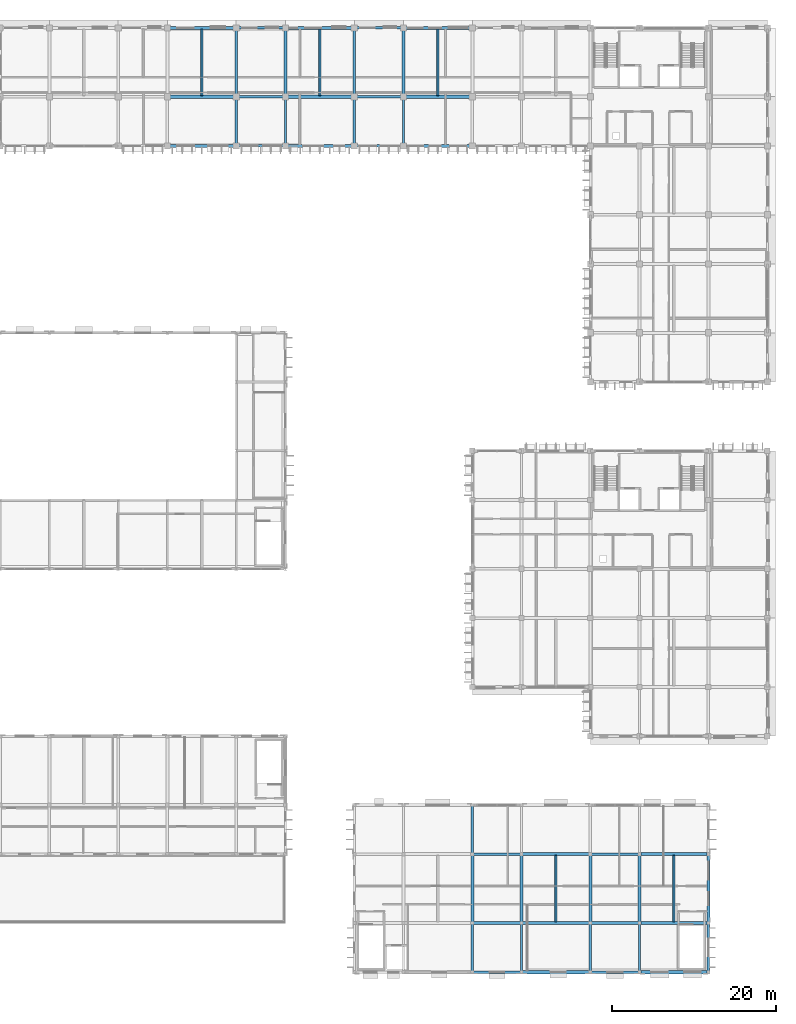
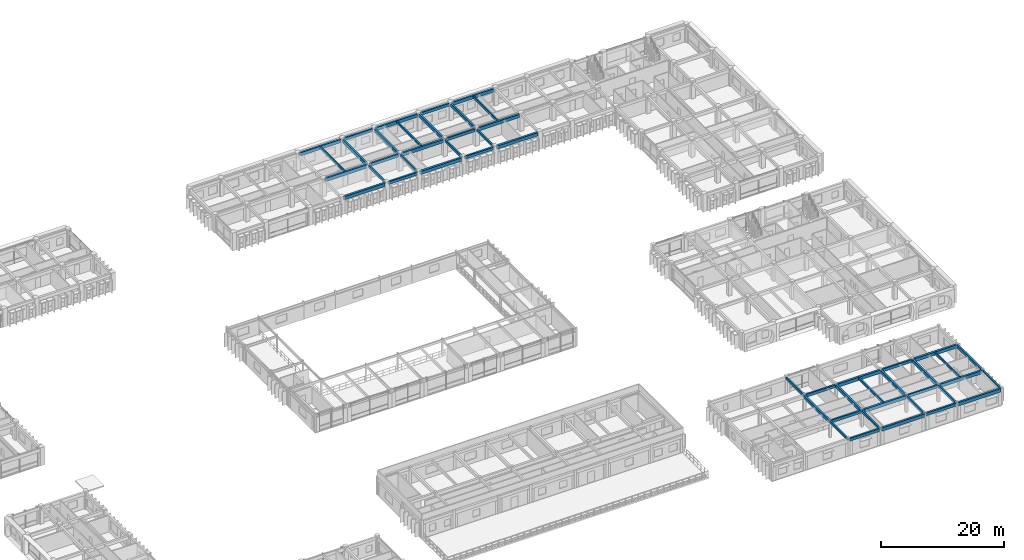
# One storey, part 30 of 88: 51 beams.
"""IFC4 building model written with IfcOpenShell, lengths in metres."""

from ifc_helpers import new_model, si_unit, direction, frame, origin, origin_2d, place, context, subcontext, project, spatial, rectangle, extrude, material, material_profile, profile_set, type_object, element, save


model = new_model("IFC4")

# Units and contexts
model_context = context("Model", 3, precision=1e-05, world=origin(), true_north=direction((0.0, 1.0)))
body_context = subcontext(model_context, "Body", "Model", "MODEL_VIEW")
ifc_project = project(units=[si_unit("LENGTHUNIT", "METRE"), si_unit("AREAUNIT", "SQUARE_METRE"), si_unit("VOLUMEUNIT", "CUBIC_METRE"), si_unit("PLANEANGLEUNIT", "RADIAN"), si_unit("MASSUNIT", "GRAM", prefix="KILO"), si_unit("THERMODYNAMICTEMPERATUREUNIT", "KELVIN")], contexts=[model_context])

# Site, building, storey
site_placement = place(None, origin())
site = spatial("IfcSite", under=ifc_project, at=site_placement, CompositionType="ELEMENT")
building_placement = place(site_placement, origin())
building = spatial("IfcBuilding", under=site, at=building_placement, Name="Thalorik Housing Commons", CompositionType="ELEMENT")
storey_placement = place(building_placement, frame((0.0, 0.0, 4.5)))
storey = spatial("IfcBuildingStorey", under=building, at=storey_placement, Name="L01", CompositionType="ELEMENT", Elevation=4.5)

# Beams
ifc_material = material(Name="Precast concrete C40/50", Category="concrete")
ifc_material_profile_1 = material_profile(ifc_material, rectangle(XDim=0.280029296875, YDim=0.449951171875, at=origin_2d()), Name="PC 280x450", Category="concrete")
ifc_profile_set_1 = profile_set([ifc_material_profile_1], Name="Precast concrete C40/50")
beam_type_1 = type_object("IfcBeamType", Name="STR-BM-PC280x450", PredefinedType="BEAM", material=ifc_profile_set_1)
for number, where, z_axis, x_axis, name in (
    (1, (109.199951171875, 109.52490234375, 3.114990234375), (0.0, 1.0, 0.0), (-1.0, 0.0, 0.0), "L01 Beam B-450"),
    (2, (115.199951171875, 109.52490234375, 3.114990234375), (0.0, 1.0, 0.0), (-1.0, 0.0, 0.0), "L01 Beam B-450"),
    (3, (123.60009765625, 109.52490234375, 3.114990234375), (0.0, 1.0, 0.0), (-1.0, 0.0, 0.0), "L01 Beam B-450"),
    (4, (129.60009765625, 109.52490234375, 3.114990234375), (0.0, 1.0, 0.0), (-1.0, 0.0, 0.0), "L01 Beam B-450"),
):
    element("IfcBeam", number, at=place(storey_placement, frame(where, z_axis=z_axis, x_axis=x_axis)), inside=storey, type_object=beam_type_1, Name=name, PredefinedType="BEAM", context=body_context, shape_type="SweptSolid", body=[
        extrude(rectangle(XDim=0.280029296875, YDim=0.449951171875, at=origin_2d()), origin(), (0.0, 0.0, 1.0), 5.35009765625),
    ])
for number, where, z_axis, x_axis, name in (
    (5, (138.0, 8.550048828125, 3.114990234375), (0.0, 1.0, 0.0), (-1.0, 0.0, 0.0), "L01 Beam B-450"),
    (6, (138.0, 22.949951171875, 3.114990234375), (0.0, 1.0, 0.0), (-1.0, 0.0, 0.0), "L01 Beam B-450"),
    (7, (144.0, 8.550048828125, 3.114990234375), (0.0, 1.0, 0.0), (-1.0, 0.0, 0.0), "L01 Beam B-450"),
    (8, (152.39990234375, 8.550048828125, 3.114990234375), (0.0, 1.0, 0.0), (-1.0, 0.0, 0.0), "L01 Beam B-450"),
    (9, (158.39990234375, 8.550048828125, 3.114990234375), (0.0, 1.0, 0.0), (-1.0, 0.0, 0.0), "L01 Beam B-450"),
    (10, (166.800048828125, 8.550048828125, 3.114990234375), (0.0, 1.0, 0.0), (-1.0, 0.0, 0.0), "L01 Beam B-450"),
):
    element("IfcBeam", number, at=place(storey_placement, frame(where, z_axis=z_axis, x_axis=x_axis)), inside=storey, type_object=beam_type_1, Name=name, PredefinedType="BEAM", context=body_context, shape_type="SweptSolid", body=[
        extrude(rectangle(XDim=0.280029296875, YDim=0.449951171875, at=origin_2d()), origin(), (0.0, 0.0, 1.0), 5.699951171875),
    ])
ifc_material_profile_2 = material_profile(ifc_material, rectangle(XDim=0.320068359375, YDim=0.550048828125, at=origin_2d()), Name="PC 320x550", Category="concrete")
ifc_profile_set_2 = profile_set([ifc_material_profile_2], Name="Precast concrete C40/50")
beam_type_2 = type_object("IfcBeamType", Name="STR-BM-PC320x550", PredefinedType="BEAM", material=ifc_profile_set_2)
beam_1_placement = place(storey_placement, frame((138.14990234375, 8.39990234375, 3.06494140625), z_axis=(1.0, 0.0, 0.0), x_axis=(0.0, 1.0, 0.0)))
element("IfcBeam", 11, at=beam_1_placement, inside=storey, type_object=beam_type_2, Name="L01 Beam B-550", PredefinedType="BEAM", context=body_context, shape_type="SweptSolid", body=[
    extrude(rectangle(XDim=0.320068359375, YDim=0.550048828125, at=origin_2d()), origin(), (0.0, 0.0, 1.0), 5.7001953125),
])
beam_2_placement = place(storey_placement, frame((152.550048828125, 8.39990234375, 3.06494140625), z_axis=(1.0, 0.0, 0.0), x_axis=(0.0, 1.0, 0.0)))
element("IfcBeam", 12, at=beam_2_placement, inside=storey, type_object=beam_type_2, Name="L01 Beam B-550", PredefinedType="BEAM", context=body_context, shape_type="SweptSolid", body=[
    extrude(rectangle(XDim=0.320068359375, YDim=0.550048828125, at=origin_2d()), origin(), (0.0, 0.0, 1.0), 5.699951171875),
])
beam_3_placement = place(storey_placement, frame((138.14990234375, 14.39990234375, 3.06494140625), z_axis=(1.0, 0.0, 0.0), x_axis=(0.0, 1.0, 0.0)))
element("IfcBeam", 13, at=beam_3_placement, inside=storey, type_object=beam_type_2, Name="L01 Beam B-550", PredefinedType="BEAM", context=body_context, shape_type="SweptSolid", body=[
    extrude(rectangle(XDim=0.320068359375, YDim=0.550048828125, at=origin_2d()), origin(), (0.0, 0.0, 1.0), 5.7001953125),
])
beam_4_placement = place(storey_placement, frame((152.550048828125, 14.39990234375, 3.06494140625), z_axis=(1.0, 0.0, 0.0), x_axis=(0.0, 1.0, 0.0)))
element("IfcBeam", 14, at=beam_4_placement, inside=storey, type_object=beam_type_2, Name="L01 Beam B-550", PredefinedType="BEAM", context=body_context, shape_type="SweptSolid", body=[
    extrude(rectangle(XDim=0.320068359375, YDim=0.550048828125, at=origin_2d()), origin(), (0.0, 0.0, 1.0), 5.699951171875),
])
beam_5_placement = place(storey_placement, frame((138.14990234375, 22.800048828125, 3.06494140625), z_axis=(1.0, 0.0, 0.0), x_axis=(0.0, 1.0, 0.0)))
element("IfcBeam", 15, at=beam_5_placement, inside=storey, type_object=beam_type_2, Name="L01 Beam B-550", PredefinedType="BEAM", context=body_context, shape_type="SweptSolid", body=[
    extrude(rectangle(XDim=0.320068359375, YDim=0.550048828125, at=origin_2d()), origin(), (0.0, 0.0, 1.0), 5.7001953125),
])
beam_6_placement = place(storey_placement, frame((152.550048828125, 22.800048828125, 3.06494140625), z_axis=(1.0, 0.0, 0.0), x_axis=(0.0, 1.0, 0.0)))
element("IfcBeam", 16, at=beam_6_placement, inside=storey, type_object=beam_type_2, Name="L01 Beam B-550", PredefinedType="BEAM", context=body_context, shape_type="SweptSolid", body=[
    extrude(rectangle(XDim=0.320068359375, YDim=0.550048828125, at=origin_2d()), origin(), (0.0, 0.0, 1.0), 5.699951171875),
])
beam_7_placement = place(storey_placement, frame((109.52490234375, 109.199951171875, 3.06494140625), z_axis=(1.0, 0.0, 0.0), x_axis=(0.0, 1.0, 0.0)))
element("IfcBeam", 17, at=beam_7_placement, inside=storey, type_object=beam_type_2, Name="L01 Beam B-550", PredefinedType="BEAM", context=body_context, shape_type="SweptSolid", body=[
    extrude(rectangle(XDim=0.320068359375, YDim=0.550048828125, at=origin_2d()), origin(), (0.0, 0.0, 1.0), 5.35009765625),
])
beam_8_placement = place(storey_placement, frame((123.925048828125, 109.199951171875, 3.06494140625), z_axis=(1.0, 0.0, 0.0), x_axis=(0.0, 1.0, 0.0)))
element("IfcBeam", 18, at=beam_8_placement, inside=storey, type_object=beam_type_2, Name="L01 Beam B-550", PredefinedType="BEAM", context=body_context, shape_type="SweptSolid", body=[
    extrude(rectangle(XDim=0.320068359375, YDim=0.550048828125, at=origin_2d()), origin(), (0.0, 0.0, 1.0), 5.349853515625),
])
beam_9_placement = place(storey_placement, frame((109.52490234375, 115.199951171875, 3.06494140625), z_axis=(1.0, 0.0, 0.0), x_axis=(0.0, 1.0, 0.0)))
element("IfcBeam", 19, at=beam_9_placement, inside=storey, type_object=beam_type_2, Name="L01 Beam B-550", PredefinedType="BEAM", context=body_context, shape_type="SweptSolid", body=[
    extrude(rectangle(XDim=0.320068359375, YDim=0.550048828125, at=origin_2d()), origin(), (0.0, 0.0, 1.0), 5.35009765625),
])
beam_10_placement = place(storey_placement, frame((123.925048828125, 115.199951171875, 3.06494140625), z_axis=(1.0, 0.0, 0.0), x_axis=(0.0, 1.0, 0.0)))
element("IfcBeam", 20, at=beam_10_placement, inside=storey, type_object=beam_type_2, Name="L01 Beam B-550", PredefinedType="BEAM", context=body_context, shape_type="SweptSolid", body=[
    extrude(rectangle(XDim=0.320068359375, YDim=0.550048828125, at=origin_2d()), origin(), (0.0, 0.0, 1.0), 5.349853515625),
])
beam_11_placement = place(storey_placement, frame((109.52490234375, 123.60009765625, 3.06494140625), z_axis=(1.0, 0.0, 0.0), x_axis=(0.0, 1.0, 0.0)))
element("IfcBeam", 21, at=beam_11_placement, inside=storey, type_object=beam_type_2, Name="L01 Beam B-550", PredefinedType="BEAM", context=body_context, shape_type="SweptSolid", body=[
    extrude(rectangle(XDim=0.320068359375, YDim=0.550048828125, at=origin_2d()), origin(), (0.0, 0.0, 1.0), 5.35009765625),
])
beam_12_placement = place(storey_placement, frame((123.925048828125, 123.60009765625, 3.06494140625), z_axis=(1.0, 0.0, 0.0), x_axis=(0.0, 1.0, 0.0)))
element("IfcBeam", 22, at=beam_12_placement, inside=storey, type_object=beam_type_2, Name="L01 Beam B-550", PredefinedType="BEAM", context=body_context, shape_type="SweptSolid", body=[
    extrude(rectangle(XDim=0.320068359375, YDim=0.550048828125, at=origin_2d()), origin(), (0.0, 0.0, 1.0), 5.349853515625),
])
ifc_material_profile_3 = material_profile(ifc_material, rectangle(XDim=0.35009765625, YDim=0.60009765625, at=origin_2d()), Name="PC 350x600", Category="concrete")
ifc_profile_set_3 = profile_set([ifc_material_profile_3], Name="Precast concrete C40/50")
beam_type_3 = type_object("IfcBeamType", Name="STR-BM-PC350x600", PredefinedType="BEAM", material=ifc_profile_set_3)
for number, where, z_axis, x_axis, name in (
    (23, (109.199951171875, 115.52490234375, 3.0400390625), (0.0, 1.0, 0.0), (-1.0, 0.0, 0.0), "L01 Beam B-600"),
    (24, (115.199951171875, 115.52490234375, 3.0400390625), (0.0, 1.0, 0.0), (-1.0, 0.0, 0.0), "L01 Beam B-600"),
    (25, (123.60009765625, 115.52490234375, 3.0400390625), (0.0, 1.0, 0.0), (-1.0, 0.0, 0.0), "L01 Beam B-600"),
    (26, (129.60009765625, 115.52490234375, 3.0400390625), (0.0, 1.0, 0.0), (-1.0, 0.0, 0.0), "L01 Beam B-600"),
):
    element("IfcBeam", number, at=place(storey_placement, frame(where, z_axis=z_axis, x_axis=x_axis)), inside=storey, type_object=beam_type_3, Name=name, PredefinedType="BEAM", context=body_context, shape_type="SweptSolid", body=[
        extrude(rectangle(XDim=0.35009765625, YDim=0.60009765625, at=origin_2d()), origin(), (0.0, 0.0, 1.0), 7.75),
    ])
for number, where, z_axis, x_axis, name in (
    (27, (138.0, 14.550048828125, 3.0400390625), (0.0, 1.0, 0.0), (-1.0, 0.0, 0.0), "L01 Beam B-600"),
    (28, (144.0, 14.550048828125, 3.0400390625), (0.0, 1.0, 0.0), (-1.0, 0.0, 0.0), "L01 Beam B-600"),
    (29, (152.39990234375, 14.550048828125, 3.0400390625), (0.0, 1.0, 0.0), (-1.0, 0.0, 0.0), "L01 Beam B-600"),
    (30, (158.39990234375, 14.550048828125, 3.0400390625), (0.0, 1.0, 0.0), (-1.0, 0.0, 0.0), "L01 Beam B-600"),
    (31, (166.800048828125, 14.550048828125, 3.0400390625), (0.0, 1.0, 0.0), (-1.0, 0.0, 0.0), "L01 Beam B-600"),
):
    element("IfcBeam", number, at=place(storey_placement, frame(where, z_axis=z_axis, x_axis=x_axis)), inside=storey, type_object=beam_type_3, Name=name, PredefinedType="BEAM", context=body_context, shape_type="SweptSolid", body=[
        extrude(rectangle(XDim=0.35009765625, YDim=0.60009765625, at=origin_2d()), origin(), (0.0, 0.0, 1.0), 8.099853515625),
    ])
ifc_material_profile_4 = material_profile(ifc_material, rectangle(XDim=0.3798828125, YDim=0.64990234375, at=origin_2d()), Name="PC 380x650", Category="concrete")
ifc_profile_set_4 = profile_set([ifc_material_profile_4], Name="Precast concrete C40/50")
beam_type_4 = type_object("IfcBeamType", Name="STR-BM-PC380x650", PredefinedType="BEAM", material=ifc_profile_set_4)
beam_13_placement = place(storey_placement, frame((144.14990234375, 8.39990234375, 3.014892578125), z_axis=(1.0, 0.0, 0.0), x_axis=(0.0, 1.0, 0.0)))
element("IfcBeam", 32, at=beam_13_placement, inside=storey, type_object=beam_type_4, Name="L01 Beam B-650", PredefinedType="BEAM", context=body_context, shape_type="SweptSolid", body=[
    extrude(rectangle(XDim=0.3798828125, YDim=0.64990234375, at=origin_2d()), origin(), (0.0, 0.0, 1.0), 8.10009765625),
])
beam_14_placement = place(storey_placement, frame((158.550048828125, 8.39990234375, 3.014892578125), z_axis=(1.0, 0.0, 0.0), x_axis=(0.0, 1.0, 0.0)))
element("IfcBeam", 33, at=beam_14_placement, inside=storey, type_object=beam_type_4, Name="L01 Beam B-650", PredefinedType="BEAM", context=body_context, shape_type="SweptSolid", body=[
    extrude(rectangle(XDim=0.3798828125, YDim=0.64990234375, at=origin_2d()), origin(), (0.0, 0.0, 1.0), 8.099853515625),
])
beam_15_placement = place(storey_placement, frame((144.14990234375, 14.39990234375, 3.014892578125), z_axis=(1.0, 0.0, 0.0), x_axis=(0.0, 1.0, 0.0)))
element("IfcBeam", 34, at=beam_15_placement, inside=storey, type_object=beam_type_4, Name="L01 Beam B-650", PredefinedType="BEAM", context=body_context, shape_type="SweptSolid", body=[
    extrude(rectangle(XDim=0.3798828125, YDim=0.64990234375, at=origin_2d()), origin(), (0.0, 0.0, 1.0), 8.10009765625),
])
beam_16_placement = place(storey_placement, frame((158.550048828125, 14.39990234375, 3.014892578125), z_axis=(1.0, 0.0, 0.0), x_axis=(0.0, 1.0, 0.0)))
element("IfcBeam", 35, at=beam_16_placement, inside=storey, type_object=beam_type_4, Name="L01 Beam B-650", PredefinedType="BEAM", context=body_context, shape_type="SweptSolid", body=[
    extrude(rectangle(XDim=0.3798828125, YDim=0.64990234375, at=origin_2d()), origin(), (0.0, 0.0, 1.0), 8.099853515625),
])
beam_17_placement = place(storey_placement, frame((144.14990234375, 22.800048828125, 3.014892578125), z_axis=(1.0, 0.0, 0.0), x_axis=(0.0, 1.0, 0.0)))
element("IfcBeam", 36, at=beam_17_placement, inside=storey, type_object=beam_type_4, Name="L01 Beam B-650", PredefinedType="BEAM", context=body_context, shape_type="SweptSolid", body=[
    extrude(rectangle(XDim=0.3798828125, YDim=0.64990234375, at=origin_2d()), origin(), (0.0, 0.0, 1.0), 8.10009765625),
])
beam_18_placement = place(storey_placement, frame((158.550048828125, 22.800048828125, 3.014892578125), z_axis=(1.0, 0.0, 0.0), x_axis=(0.0, 1.0, 0.0)))
element("IfcBeam", 37, at=beam_18_placement, inside=storey, type_object=beam_type_4, Name="L01 Beam B-650", PredefinedType="BEAM", context=body_context, shape_type="SweptSolid", body=[
    extrude(rectangle(XDim=0.3798828125, YDim=0.64990234375, at=origin_2d()), origin(), (0.0, 0.0, 1.0), 8.099853515625),
])
for number, where, z_axis, x_axis, name in (
    (38, (101.125, 109.199951171875, 3.014892578125), (1.0, 0.0, 0.0), (0.0, 1.0, 0.0), "L01 Beam B-650"),
    (39, (115.52490234375, 109.199951171875, 3.014892578125), (1.0, 0.0, 0.0), (0.0, 1.0, 0.0), "L01 Beam B-650"),
    (40, (129.925048828125, 109.199951171875, 3.014892578125), (1.0, 0.0, 0.0), (0.0, 1.0, 0.0), "L01 Beam B-650"),
    (41, (101.125, 115.199951171875, 3.014892578125), (1.0, 0.0, 0.0), (0.0, 1.0, 0.0), "L01 Beam B-650"),
    (42, (115.52490234375, 115.199951171875, 3.014892578125), (1.0, 0.0, 0.0), (0.0, 1.0, 0.0), "L01 Beam B-650"),
    (43, (129.925048828125, 115.199951171875, 3.014892578125), (1.0, 0.0, 0.0), (0.0, 1.0, 0.0), "L01 Beam B-650"),
    (44, (101.125, 123.60009765625, 3.014892578125), (1.0, 0.0, 0.0), (0.0, 1.0, 0.0), "L01 Beam B-650"),
    (45, (115.52490234375, 123.60009765625, 3.014892578125), (1.0, 0.0, 0.0), (0.0, 1.0, 0.0), "L01 Beam B-650"),
    (46, (129.925048828125, 123.60009765625, 3.014892578125), (1.0, 0.0, 0.0), (0.0, 1.0, 0.0), "L01 Beam B-650"),
):
    element("IfcBeam", number, at=place(storey_placement, frame(where, z_axis=z_axis, x_axis=x_axis)), inside=storey, type_object=beam_type_4, Name=name, PredefinedType="BEAM", context=body_context, shape_type="SweptSolid", body=[
        extrude(rectangle(XDim=0.3798828125, YDim=0.64990234375, at=origin_2d()), origin(), (0.0, 0.0, 1.0), 7.75),
    ])
ifc_material_profile_5 = material_profile(ifc_material, rectangle(XDim=0.239990234375, YDim=0.43994140625, at=origin_2d()), Name="PC JST 240x440", Category="concrete")
ifc_profile_set_5 = profile_set([ifc_material_profile_5], Name="Precast concrete C40/50")
beam_type_5 = type_object("IfcBeamType", Name="STR-JST-PC240x440", PredefinedType="JOIST", material=ifc_profile_set_5)
for number, where, z_axis, x_axis, name in (
    (47, (148.199951171875, 14.5400390625, 3.1201171875), (0.0, 1.0, 0.0), (-1.0, 0.0, 0.0), "L01 Beam J-440"),
    (48, (162.60009765625, 14.5400390625, 3.1201171875), (0.0, 1.0, 0.0), (-1.0, 0.0, 0.0), "L01 Beam J-440"),
    (49, (105.0, 115.340087890625, 3.1201171875), (0.0, 1.0, 0.0), (-1.0, 0.0, 0.0), "L01 Beam J-440"),
    (50, (119.39990234375, 115.340087890625, 3.1201171875), (0.0, 1.0, 0.0), (-1.0, 0.0, 0.0), "L01 Beam J-440"),
    (51, (133.800048828125, 115.340087890625, 3.1201171875), (0.0, 1.0, 0.0), (-1.0, 0.0, 0.0), "L01 Beam J-440"),
):
    element("IfcBeam", number, at=place(storey_placement, frame(where, z_axis=z_axis, x_axis=x_axis)), inside=storey, type_object=beam_type_5, Name=name, PredefinedType="JOIST", context=body_context, shape_type="SweptSolid", body=[
        extrude(rectangle(XDim=0.239990234375, YDim=0.43994140625, at=origin_2d()), origin(), (0.0, 0.0, 1.0), 8.119873046875),
    ])

save(model, "model.ifc")
